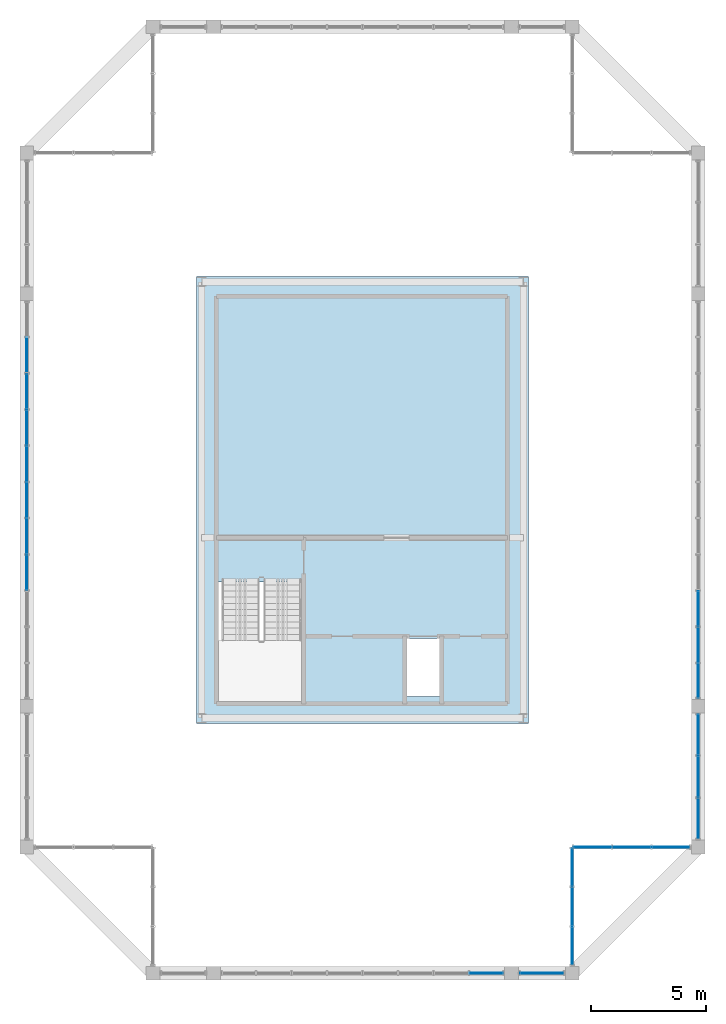
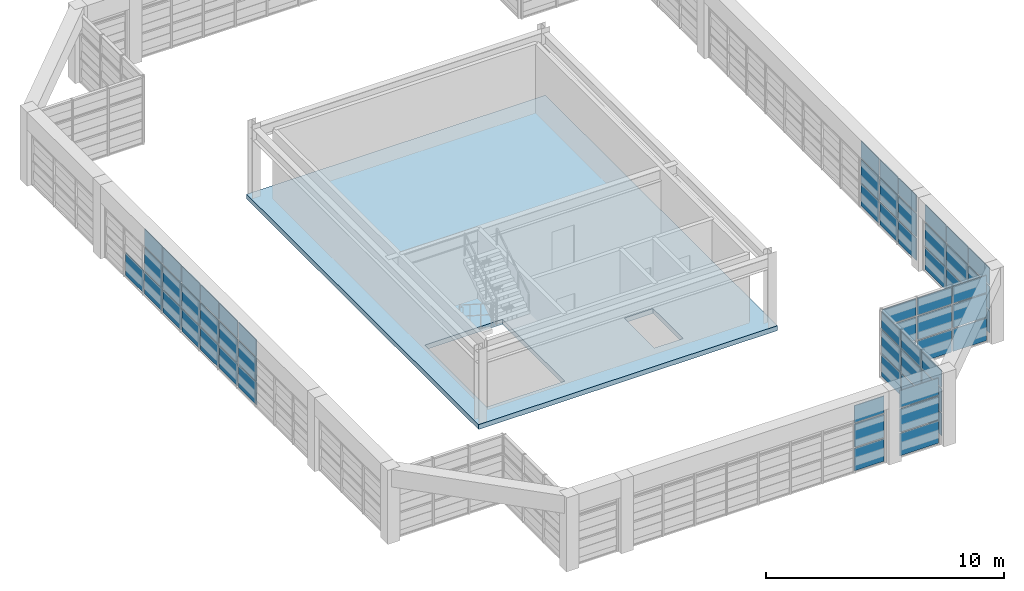
# One storey, part 21 of 27: 61 plates, 1 slab, 7 elements without a shape of their own.
"""IFC4 building model written with IfcOpenShell, lengths in metres."""

from ifc_helpers import new_model, si_unit, direction, frame, origin, origin_2d, place, context, subcontext, project, spatial, polyline, rectangle, outline, extrude, source, transform, mapped, material, layer, layer_set, type_object, element, aggregate, save


model = new_model("IFC4")

# Units and contexts
model_context = context("Model", 3, precision=1e-05, world=origin(), true_north=direction((0.0, 1.0)))
body_context = subcontext(model_context, "Body", "Model", "MODEL_VIEW")
ifc_project = project(units=[si_unit("LENGTHUNIT", "METRE"), si_unit("AREAUNIT", "SQUARE_METRE"), si_unit("VOLUMEUNIT", "CUBIC_METRE"), si_unit("PLANEANGLEUNIT", "RADIAN"), si_unit("MASSUNIT", "GRAM", prefix="KILO")], contexts=[model_context])

# Site, building, storey
site_placement = place(None, origin())
site = spatial("IfcSite", under=ifc_project, at=site_placement, CompositionType="ELEMENT")
building_placement = place(site_placement, origin())
building = spatial("IfcBuilding", under=site, at=building_placement, Name="Saelheon Loggia Tower", CompositionType="ELEMENT")
storey_placement = place(building_placement, frame((0.0, 0.0, 263.60009765625)))
storey = spatial("IfcBuildingStorey", under=building, at=storey_placement, Name="CR4", CompositionType="ELEMENT", Elevation=263.60009765625)

# Slab
ifc_material_1 = material(Name="Concrete C45/55", Category="concrete")
ifc_layer_1 = layer(ifc_material_1, 0.25)
ifc_layer_set_1 = layer_set([ifc_layer_1], Name="Concrete C45/55")
slab_type = type_object("IfcSlabType", Name="Slab_CrownDeck_250", PredefinedType="FLOOR", material=ifc_layer_set_1)
slab_placement = place(storey_placement, frame((0.0, 0.0, -0.25)))
element("IfcSlab", 1, at=slab_placement, inside=storey, type_object=slab_type, Name="CR4 Crown Mechanical Plant Platform", PredefinedType="FLOOR", context=body_context, shape_type="SweptSolid", body=[
    extrude(outline(polyline([(30.75, 17.25), (45.25, 17.25), (45.25, 36.75), (30.75, 36.75), (30.75, 17.25)]), holes=[polyline([(31.699951171875, 23.429931640625), (31.699951171875, 18.199951171875), (35.47998046875, 18.199951171875), (35.47998046875, 23.429931640625), (31.699951171875, 23.429931640625)]), polyline([(39.949951171875, 18.419921875), (41.35009765625, 18.419921875), (41.35009765625, 20.949951171875), (39.949951171875, 20.949951171875), (39.949951171875, 18.419921875)])]), origin(), (0.0, 0.0, 1.0), 0.25),
])

# Curtain wall, plates
ifc_material_2 = material(Name="Bronze-Anodised Aluminium and Fritted Ceramic Screen", Category="aluminium")
ifc_layer_2 = layer(ifc_material_2, 0.219970703125)
ifc_layer_set_2 = layer_set([ifc_layer_2], Name="Bronze-Anodised Aluminium and Fritted Ceramic Screen")
curtain_wall_type = type_object("IfcCurtainWallType", Name="CW_CrownScreen", PredefinedType="NOTDEFINED", material=ifc_layer_set_2)
curtain_wall_1_placement = place(storey_placement, origin())
curtain_wall_1 = element("IfcCurtainWall", 2, at=curtain_wall_1_placement, inside=storey, type_object=curtain_wall_type, Name="CR4 Crown Screen Curtain Wall 0-3", PredefinedType="NOTDEFINED")
ifc_material_3 = material(Name="Bronze Ceramic Fritted Spandrel Panel", Category="aluminium")
ifc_layer_3 = layer(ifc_material_3, 0.0380859375)
ifc_layer_set_3 = layer_set([ifc_layer_3], Name="Bronze Ceramic Fritted Spandrel Panel")
plate_type = type_object("IfcPlateType", Name="CW_CrownScreen_Panel", PredefinedType="CURTAIN_PANEL", material=ifc_layer_set_3)
shared_shape_1 = source(origin(), body_context, "Body", "SweptSolid", [
    extrude(rectangle(XDim=1.889892578125, YDim=0.0380859375, at=origin_2d()), origin(), (0.0, 0.0, 1.0), 1.14501953125),
])
plate_1_placement = place(storey_placement, frame((45.824951171875, 6.35009765625, 0.06982421875), z_axis=(0.0, 0.0, 1.0), x_axis=(1.0, 0.0, 0.0)))
plate_1 = element("IfcPlate", 3, at=plate_1_placement, type_object=plate_type, Name="CW6 panel 1.1", PredefinedType="CURTAIN_PANEL", context=body_context, shape_type="MappedRepresentation", body=[
    mapped(shared_shape_1, transform((0.0, 0.0, 0.0), scale=1.0)),
])
shared_shape_2 = source(origin(), body_context, "Body", "SweptSolid", [
    extrude(rectangle(XDim=1.889892578125, YDim=0.0380859375, at=origin_2d()), origin(), (0.0, 0.0, 1.0), 1.179931640625),
])
plate_2_placement = place(storey_placement, frame((45.824951171875, 6.35009765625, 1.28515625), z_axis=(0.0, 0.0, 1.0), x_axis=(1.0, 0.0, 0.0)))
plate_2 = element("IfcPlate", 4, at=plate_2_placement, type_object=plate_type, Name="CW6 panel 1.2", PredefinedType="CURTAIN_PANEL", context=body_context, shape_type="MappedRepresentation", body=[
    mapped(shared_shape_2, transform((0.0, 0.0, 0.0), scale=1.0)),
])
shared_shape_3 = source(origin(), body_context, "Body", "SweptSolid", [
    extrude(rectangle(XDim=1.889892578125, YDim=0.0380859375, at=origin_2d()), origin(), (0.0, 0.0, 1.0), 0.875),
])
plate_3_placement = place(storey_placement, frame((45.824951171875, 6.35009765625, 2.534912109375), z_axis=(0.0, 0.0, 1.0), x_axis=(1.0, 0.0, 0.0)))
plate_3 = element("IfcPlate", 5, at=plate_3_placement, type_object=plate_type, Name="CW6 panel 1.3", PredefinedType="CURTAIN_PANEL", context=body_context, shape_type="MappedRepresentation", body=[
    mapped(shared_shape_3, transform((0.0, 0.0, 0.0), scale=1.0)),
])
aggregate(curtain_wall_1, [plate_1, plate_2, plate_3])

curtain_wall_2_placement = place(storey_placement, origin())
curtain_wall_2 = element("IfcCurtainWall", 6, at=curtain_wall_2_placement, inside=storey, type_object=curtain_wall_type, Name="CR4 Crown Screen Curtain Wall 0-2", PredefinedType="NOTDEFINED")
shared_shape_4 = source(origin(), body_context, "Body", "SweptSolid", [
    extrude(rectangle(XDim=1.4423828125, YDim=0.0380859375, at=origin_2d()), origin(), (0.0, 0.0, 1.0), 1.14501953125),
])
plate_4_placement = place(storey_placement, frame((43.398681640625, 6.35009765625, 0.06982421875), z_axis=(0.0, 0.0, 1.0), x_axis=(1.0, 0.0, 0.0)))
plate_4 = element("IfcPlate", 7, at=plate_4_placement, type_object=plate_type, Name="CW6 panel 8.1", PredefinedType="CURTAIN_PANEL", context=body_context, shape_type="MappedRepresentation", body=[
    mapped(shared_shape_4, transform((0.0, 0.0, 0.0), scale=1.0)),
])
shared_shape_5 = source(origin(), body_context, "Body", "SweptSolid", [
    extrude(rectangle(XDim=1.4423828125, YDim=0.0380859375, at=origin_2d()), origin(), (0.0, 0.0, 1.0), 1.179931640625),
])
plate_5_placement = place(storey_placement, frame((43.398681640625, 6.35009765625, 1.28515625), z_axis=(0.0, 0.0, 1.0), x_axis=(1.0, 0.0, 0.0)))
plate_5 = element("IfcPlate", 8, at=plate_5_placement, type_object=plate_type, Name="CW6 panel 8.2", PredefinedType="CURTAIN_PANEL", context=body_context, shape_type="MappedRepresentation", body=[
    mapped(shared_shape_5, transform((0.0, 0.0, 0.0), scale=1.0)),
])
shared_shape_6 = source(origin(), body_context, "Body", "SweptSolid", [
    extrude(rectangle(XDim=1.4423828125, YDim=0.0380859375, at=origin_2d()), origin(), (0.0, 0.0, 1.0), 0.875),
])
plate_6_placement = place(storey_placement, frame((43.398681640625, 6.35009765625, 2.534912109375), z_axis=(0.0, 0.0, 1.0), x_axis=(1.0, 0.0, 0.0)))
plate_6 = element("IfcPlate", 9, at=plate_6_placement, type_object=plate_type, Name="CW6 panel 8.3", PredefinedType="CURTAIN_PANEL", context=body_context, shape_type="MappedRepresentation", body=[
    mapped(shared_shape_6, transform((0.0, 0.0, 0.0), scale=1.0)),
])
aggregate(curtain_wall_2, [plate_4, plate_5, plate_6])

curtain_wall_3_placement = place(storey_placement, origin())
curtain_wall_3 = element("IfcCurtainWall", 10, at=curtain_wall_3_placement, inside=storey, type_object=curtain_wall_type, Name="CR4 Crown Screen Curtain Wall 1-1", PredefinedType="NOTDEFINED")
shared_shape_7 = source(origin(), body_context, "Body", "SweptSolid", [
    extrude(rectangle(XDim=1.625, YDim=0.0380859375, at=origin_2d()), origin(), (0.0, 0.0, 1.0), 1.14501953125),
])
plate_7_placement = place(storey_placement, frame((47.14990234375, 7.54248046875, 0.06982421875), z_axis=(0.0, 0.0, 1.0), x_axis=(0.0, 1.0, 0.0)))
plate_7 = element("IfcPlate", 11, at=plate_7_placement, type_object=plate_type, Name="CW6 panel 1.1", PredefinedType="CURTAIN_PANEL", context=body_context, shape_type="MappedRepresentation", body=[
    mapped(shared_shape_7, transform((0.0, 0.0, 0.0), scale=1.0)),
])
plate_8_placement = place(storey_placement, frame((47.14990234375, 10.967529296875, 0.06982421875), z_axis=(0.0, 0.0, 1.0), x_axis=(0.0, 1.0, 0.0)))
plate_8 = element("IfcPlate", 12, at=plate_8_placement, type_object=plate_type, Name="CW6 panel 3.1", PredefinedType="CURTAIN_PANEL", context=body_context, shape_type="MappedRepresentation", body=[
    mapped(shared_shape_7, transform((0.0, 0.0, 0.0), scale=1.0)),
])

curtain_wall_4_placement = place(storey_placement, origin())
curtain_wall_4 = element("IfcCurtainWall", 13, at=curtain_wall_4_placement, inside=storey, type_object=curtain_wall_type, Name="CR4 Crown Screen Curtain Wall 2-1", PredefinedType="NOTDEFINED")
plate_9_placement = place(storey_placement, frame((48.032470703125, 11.85009765625, 0.06982421875), z_axis=(0.0, 0.0, 1.0), x_axis=(1.0, 0.0, 0.0)))
plate_9 = element("IfcPlate", 14, at=plate_9_placement, type_object=plate_type, Name="CW6 panel 1.1", PredefinedType="CURTAIN_PANEL", context=body_context, shape_type="MappedRepresentation", body=[
    mapped(shared_shape_7, transform((0.0, 0.0, 0.0), scale=1.0)),
])
plate_10_placement = place(storey_placement, frame((51.45751953125, 11.85009765625, 0.06982421875), z_axis=(0.0, 0.0, 1.0), x_axis=(1.0, 0.0, 0.0)))
plate_10 = element("IfcPlate", 15, at=plate_10_placement, type_object=plate_type, Name="CW6 panel 3.1", PredefinedType="CURTAIN_PANEL", context=body_context, shape_type="MappedRepresentation", body=[
    mapped(shared_shape_7, transform((0.0, 0.0, 0.0), scale=1.0)),
])

# Plate
shared_shape_8 = source(origin(), body_context, "Body", "SweptSolid", [
    extrude(rectangle(XDim=1.625, YDim=0.0380859375, at=origin_2d()), origin(), (0.0, 0.0, 1.0), 1.179931640625),
])
plate_11_placement = place(storey_placement, frame((47.14990234375, 7.54248046875, 1.28515625), z_axis=(0.0, 0.0, 1.0), x_axis=(0.0, 1.0, 0.0)))
plate_11 = element("IfcPlate", 16, at=plate_11_placement, type_object=plate_type, Name="CW6 panel 1.2", PredefinedType="CURTAIN_PANEL", context=body_context, shape_type="MappedRepresentation", body=[
    mapped(shared_shape_8, transform((0.0, 0.0, 0.0), scale=1.0)),
])

plate_12_placement = place(storey_placement, frame((47.14990234375, 10.967529296875, 1.28515625), z_axis=(0.0, 0.0, 1.0), x_axis=(0.0, 1.0, 0.0)))
plate_12 = element("IfcPlate", 17, at=plate_12_placement, type_object=plate_type, Name="CW6 panel 3.2", PredefinedType="CURTAIN_PANEL", context=body_context, shape_type="MappedRepresentation", body=[
    mapped(shared_shape_8, transform((0.0, 0.0, 0.0), scale=1.0)),
])

plate_13_placement = place(storey_placement, frame((48.032470703125, 11.85009765625, 1.28515625), z_axis=(0.0, 0.0, 1.0), x_axis=(1.0, 0.0, 0.0)))
plate_13 = element("IfcPlate", 18, at=plate_13_placement, type_object=plate_type, Name="CW6 panel 1.2", PredefinedType="CURTAIN_PANEL", context=body_context, shape_type="MappedRepresentation", body=[
    mapped(shared_shape_8, transform((0.0, 0.0, 0.0), scale=1.0)),
])

plate_14_placement = place(storey_placement, frame((51.45751953125, 11.85009765625, 1.28515625), z_axis=(0.0, 0.0, 1.0), x_axis=(1.0, 0.0, 0.0)))
plate_14 = element("IfcPlate", 19, at=plate_14_placement, type_object=plate_type, Name="CW6 panel 3.2", PredefinedType="CURTAIN_PANEL", context=body_context, shape_type="MappedRepresentation", body=[
    mapped(shared_shape_8, transform((0.0, 0.0, 0.0), scale=1.0)),
])

shared_shape_9 = source(origin(), body_context, "Body", "SweptSolid", [
    extrude(rectangle(XDim=1.625, YDim=0.0380859375, at=origin_2d()), origin(), (0.0, 0.0, 1.0), 0.875),
])
plate_15_placement = place(storey_placement, frame((47.14990234375, 7.54248046875, 2.534912109375), z_axis=(0.0, 0.0, 1.0), x_axis=(0.0, 1.0, 0.0)))
plate_15 = element("IfcPlate", 20, at=plate_15_placement, type_object=plate_type, Name="CW6 panel 1.3", PredefinedType="CURTAIN_PANEL", context=body_context, shape_type="MappedRepresentation", body=[
    mapped(shared_shape_9, transform((0.0, 0.0, 0.0), scale=1.0)),
])

plate_16_placement = place(storey_placement, frame((47.14990234375, 10.967529296875, 2.534912109375), z_axis=(0.0, 0.0, 1.0), x_axis=(0.0, 1.0, 0.0)))
plate_16 = element("IfcPlate", 21, at=plate_16_placement, type_object=plate_type, Name="CW6 panel 3.3", PredefinedType="CURTAIN_PANEL", context=body_context, shape_type="MappedRepresentation", body=[
    mapped(shared_shape_9, transform((0.0, 0.0, 0.0), scale=1.0)),
])

plate_17_placement = place(storey_placement, frame((48.032470703125, 11.85009765625, 2.534912109375), z_axis=(0.0, 0.0, 1.0), x_axis=(1.0, 0.0, 0.0)))
plate_17 = element("IfcPlate", 22, at=plate_17_placement, type_object=plate_type, Name="CW6 panel 1.3", PredefinedType="CURTAIN_PANEL", context=body_context, shape_type="MappedRepresentation", body=[
    mapped(shared_shape_9, transform((0.0, 0.0, 0.0), scale=1.0)),
])

plate_18_placement = place(storey_placement, frame((51.45751953125, 11.85009765625, 2.534912109375), z_axis=(0.0, 0.0, 1.0), x_axis=(1.0, 0.0, 0.0)))
plate_18 = element("IfcPlate", 23, at=plate_18_placement, type_object=plate_type, Name="CW6 panel 3.3", PredefinedType="CURTAIN_PANEL", context=body_context, shape_type="MappedRepresentation", body=[
    mapped(shared_shape_9, transform((0.0, 0.0, 0.0), scale=1.0)),
])

shared_shape_10 = source(origin(), body_context, "Body", "SweptSolid", [
    extrude(rectangle(XDim=1.659912109375, YDim=0.0380859375, at=origin_2d()), origin(), (0.0, 0.0, 1.0), 1.14501953125),
])
plate_19_placement = place(storey_placement, frame((47.14990234375, 9.2548828125, 0.06982421875), z_axis=(0.0, 0.0, 1.0), x_axis=(0.0, 1.0, 0.0)))
plate_19 = element("IfcPlate", 24, at=plate_19_placement, type_object=plate_type, Name="CW6 panel 2.1", PredefinedType="CURTAIN_PANEL", context=body_context, shape_type="MappedRepresentation", body=[
    mapped(shared_shape_10, transform((0.0, 0.0, 0.0), scale=1.0)),
])

plate_20_placement = place(storey_placement, frame((49.7451171875, 11.85009765625, 0.06982421875), z_axis=(0.0, 0.0, 1.0), x_axis=(1.0, 0.0, 0.0)))
plate_20 = element("IfcPlate", 25, at=plate_20_placement, type_object=plate_type, Name="CW6 panel 2.1", PredefinedType="CURTAIN_PANEL", context=body_context, shape_type="MappedRepresentation", body=[
    mapped(shared_shape_10, transform((0.0, 0.0, 0.0), scale=1.0)),
])

shared_shape_11 = source(origin(), body_context, "Body", "SweptSolid", [
    extrude(rectangle(XDim=1.659912109375, YDim=0.0380859375, at=origin_2d()), origin(), (0.0, 0.0, 1.0), 1.179931640625),
])
plate_21_placement = place(storey_placement, frame((47.14990234375, 9.2548828125, 1.28515625), z_axis=(0.0, 0.0, 1.0), x_axis=(0.0, 1.0, 0.0)))
plate_21 = element("IfcPlate", 26, at=plate_21_placement, type_object=plate_type, Name="CW6 panel 2.2", PredefinedType="CURTAIN_PANEL", context=body_context, shape_type="MappedRepresentation", body=[
    mapped(shared_shape_11, transform((0.0, 0.0, 0.0), scale=1.0)),
])

plate_22_placement = place(storey_placement, frame((49.7451171875, 11.85009765625, 1.28515625), z_axis=(0.0, 0.0, 1.0), x_axis=(1.0, 0.0, 0.0)))
plate_22 = element("IfcPlate", 27, at=plate_22_placement, type_object=plate_type, Name="CW6 panel 2.2", PredefinedType="CURTAIN_PANEL", context=body_context, shape_type="MappedRepresentation", body=[
    mapped(shared_shape_11, transform((0.0, 0.0, 0.0), scale=1.0)),
])

shared_shape_12 = source(origin(), body_context, "Body", "SweptSolid", [
    extrude(rectangle(XDim=1.659912109375, YDim=0.0380859375, at=origin_2d()), origin(), (0.0, 0.0, 1.0), 0.875),
])
plate_23_placement = place(storey_placement, frame((47.14990234375, 9.2548828125, 2.534912109375), z_axis=(0.0, 0.0, 1.0), x_axis=(0.0, 1.0, 0.0)))
plate_23 = element("IfcPlate", 28, at=plate_23_placement, type_object=plate_type, Name="CW6 panel 2.3", PredefinedType="CURTAIN_PANEL", context=body_context, shape_type="MappedRepresentation", body=[
    mapped(shared_shape_12, transform((0.0, 0.0, 0.0), scale=1.0)),
])

aggregate(curtain_wall_3, [plate_7, plate_11, plate_15, plate_19, plate_21, plate_23, plate_8, plate_12, plate_16])

plate_24_placement = place(storey_placement, frame((49.7451171875, 11.85009765625, 2.534912109375), z_axis=(0.0, 0.0, 1.0), x_axis=(1.0, 0.0, 0.0)))
plate_24 = element("IfcPlate", 29, at=plate_24_placement, type_object=plate_type, Name="CW6 panel 2.3", PredefinedType="CURTAIN_PANEL", context=body_context, shape_type="MappedRepresentation", body=[
    mapped(shared_shape_12, transform((0.0, 0.0, 0.0), scale=1.0)),
])

aggregate(curtain_wall_4, [plate_9, plate_13, plate_17, plate_20, plate_22, plate_24, plate_10, plate_14, plate_18])

# Curtain wall, plates
curtain_wall_5_placement = place(storey_placement, origin())
curtain_wall_5 = element("IfcCurtainWall", 30, at=curtain_wall_5_placement, inside=storey, type_object=curtain_wall_type, Name="CR4 Crown Screen Curtain Wall 3-1", PredefinedType="NOTDEFINED")
shared_shape_13 = source(origin(), body_context, "Body", "SweptSolid", [
    extrude(rectangle(XDim=1.73828125, YDim=0.0380859375, at=origin_2d()), origin(), (0.0, 0.0, 1.0), 1.14501953125),
])
plate_25_placement = place(storey_placement, frame((52.64990234375, 13.09912109375, 0.06982421875), z_axis=(0.0, 0.0, 1.0), x_axis=(0.0, 1.0, 0.0)))
plate_25 = element("IfcPlate", 31, at=plate_25_placement, type_object=plate_type, Name="CW6 panel 1.1", PredefinedType="CURTAIN_PANEL", context=body_context, shape_type="MappedRepresentation", body=[
    mapped(shared_shape_13, transform((0.0, 0.0, 0.0), scale=1.0)),
])
plate_26_placement = place(storey_placement, frame((52.64990234375, 16.750732421875, 0.06982421875), z_axis=(0.0, 0.0, 1.0), x_axis=(0.0, 1.0, 0.0)))
plate_26 = element("IfcPlate", 32, at=plate_26_placement, type_object=plate_type, Name="CW6 panel 3.1", PredefinedType="CURTAIN_PANEL", context=body_context, shape_type="MappedRepresentation", body=[
    mapped(shared_shape_13, transform((0.0, 0.0, 0.0), scale=1.0)),
])
shared_shape_14 = source(origin(), body_context, "Body", "SweptSolid", [
    extrude(rectangle(XDim=1.73828125, YDim=0.0380859375, at=origin_2d()), origin(), (0.0, 0.0, 1.0), 1.179931640625),
])
plate_27_placement = place(storey_placement, frame((52.64990234375, 13.09912109375, 1.28515625), z_axis=(0.0, 0.0, 1.0), x_axis=(0.0, 1.0, 0.0)))
plate_27 = element("IfcPlate", 33, at=plate_27_placement, type_object=plate_type, Name="CW6 panel 1.2", PredefinedType="CURTAIN_PANEL", context=body_context, shape_type="MappedRepresentation", body=[
    mapped(shared_shape_14, transform((0.0, 0.0, 0.0), scale=1.0)),
])
plate_28_placement = place(storey_placement, frame((52.64990234375, 16.750732421875, 1.28515625), z_axis=(0.0, 0.0, 1.0), x_axis=(0.0, 1.0, 0.0)))
plate_28 = element("IfcPlate", 34, at=plate_28_placement, type_object=plate_type, Name="CW6 panel 3.2", PredefinedType="CURTAIN_PANEL", context=body_context, shape_type="MappedRepresentation", body=[
    mapped(shared_shape_14, transform((0.0, 0.0, 0.0), scale=1.0)),
])
shared_shape_15 = source(origin(), body_context, "Body", "SweptSolid", [
    extrude(rectangle(XDim=1.73828125, YDim=0.0380859375, at=origin_2d()), origin(), (0.0, 0.0, 1.0), 0.875),
])
plate_29_placement = place(storey_placement, frame((52.64990234375, 13.09912109375, 2.534912109375), z_axis=(0.0, 0.0, 1.0), x_axis=(0.0, 1.0, 0.0)))
plate_29 = element("IfcPlate", 35, at=plate_29_placement, type_object=plate_type, Name="CW6 panel 1.3", PredefinedType="CURTAIN_PANEL", context=body_context, shape_type="MappedRepresentation", body=[
    mapped(shared_shape_15, transform((0.0, 0.0, 0.0), scale=1.0)),
])
plate_30_placement = place(storey_placement, frame((52.64990234375, 16.750732421875, 2.534912109375), z_axis=(0.0, 0.0, 1.0), x_axis=(0.0, 1.0, 0.0)))
plate_30 = element("IfcPlate", 36, at=plate_30_placement, type_object=plate_type, Name="CW6 panel 3.3", PredefinedType="CURTAIN_PANEL", context=body_context, shape_type="MappedRepresentation", body=[
    mapped(shared_shape_15, transform((0.0, 0.0, 0.0), scale=1.0)),
])
shared_shape_16 = source(origin(), body_context, "Body", "SweptSolid", [
    extrude(rectangle(XDim=1.7734375, YDim=0.0380859375, at=origin_2d()), origin(), (0.0, 0.0, 1.0), 1.14501953125),
])
plate_31_placement = place(storey_placement, frame((52.64990234375, 14.925048828125, 0.06982421875), z_axis=(0.0, 0.0, 1.0), x_axis=(0.0, 1.0, 0.0)))
plate_31 = element("IfcPlate", 37, at=plate_31_placement, type_object=plate_type, Name="CW6 panel 2.1", PredefinedType="CURTAIN_PANEL", context=body_context, shape_type="MappedRepresentation", body=[
    mapped(shared_shape_16, transform((0.0, 0.0, 0.0), scale=1.0)),
])
shared_shape_17 = source(origin(), body_context, "Body", "SweptSolid", [
    extrude(rectangle(XDim=1.7734375, YDim=0.0380859375, at=origin_2d()), origin(), (0.0, 0.0, 1.0), 1.179931640625),
])
plate_32_placement = place(storey_placement, frame((52.64990234375, 14.925048828125, 1.28515625), z_axis=(0.0, 0.0, 1.0), x_axis=(0.0, 1.0, 0.0)))
plate_32 = element("IfcPlate", 38, at=plate_32_placement, type_object=plate_type, Name="CW6 panel 2.2", PredefinedType="CURTAIN_PANEL", context=body_context, shape_type="MappedRepresentation", body=[
    mapped(shared_shape_17, transform((0.0, 0.0, 0.0), scale=1.0)),
])
shared_shape_18 = source(origin(), body_context, "Body", "SweptSolid", [
    extrude(rectangle(XDim=1.7734375, YDim=0.0380859375, at=origin_2d()), origin(), (0.0, 0.0, 1.0), 0.875),
])
plate_33_placement = place(storey_placement, frame((52.64990234375, 14.925048828125, 2.534912109375), z_axis=(0.0, 0.0, 1.0), x_axis=(0.0, 1.0, 0.0)))
plate_33 = element("IfcPlate", 39, at=plate_33_placement, type_object=plate_type, Name="CW6 panel 2.3", PredefinedType="CURTAIN_PANEL", context=body_context, shape_type="MappedRepresentation", body=[
    mapped(shared_shape_18, transform((0.0, 0.0, 0.0), scale=1.0)),
])
aggregate(curtain_wall_5, [plate_25, plate_27, plate_29, plate_31, plate_32, plate_33, plate_26, plate_28, plate_30])

curtain_wall_6_placement = place(storey_placement, origin())
curtain_wall_6 = element("IfcCurtainWall", 40, at=curtain_wall_6_placement, inside=storey, type_object=curtain_wall_type, Name="CR4 Crown Screen Curtain Wall 3-2", PredefinedType="NOTDEFINED")
shared_shape_19 = source(origin(), body_context, "Body", "SweptSolid", [
    extrude(rectangle(XDim=1.47509765625, YDim=0.0380859375, at=origin_2d()), origin(), (0.0, 0.0, 1.0), 1.14501953125),
])
plate_34_placement = place(storey_placement, frame((52.64990234375, 19.117431640625, 0.06982421875), z_axis=(0.0, 0.0, 1.0), x_axis=(0.0, 1.0, 0.0)))
plate_34 = element("IfcPlate", 41, at=plate_34_placement, type_object=plate_type, Name="CW6 panel 1.1", PredefinedType="CURTAIN_PANEL", context=body_context, shape_type="MappedRepresentation", body=[
    mapped(shared_shape_19, transform((0.0, 0.0, 0.0), scale=1.0)),
])
shared_shape_20 = source(origin(), body_context, "Body", "SweptSolid", [
    extrude(rectangle(XDim=1.47509765625, YDim=0.0380859375, at=origin_2d()), origin(), (0.0, 0.0, 1.0), 1.179931640625),
])
plate_35_placement = place(storey_placement, frame((52.64990234375, 19.117431640625, 1.28515625), z_axis=(0.0, 0.0, 1.0), x_axis=(0.0, 1.0, 0.0)))
plate_35 = element("IfcPlate", 42, at=plate_35_placement, type_object=plate_type, Name="CW6 panel 1.2", PredefinedType="CURTAIN_PANEL", context=body_context, shape_type="MappedRepresentation", body=[
    mapped(shared_shape_20, transform((0.0, 0.0, 0.0), scale=1.0)),
])
shared_shape_21 = source(origin(), body_context, "Body", "SweptSolid", [
    extrude(rectangle(XDim=1.47509765625, YDim=0.0380859375, at=origin_2d()), origin(), (0.0, 0.0, 1.0), 0.875),
])
plate_36_placement = place(storey_placement, frame((52.64990234375, 19.117431640625, 2.534912109375), z_axis=(0.0, 0.0, 1.0), x_axis=(0.0, 1.0, 0.0)))
plate_36 = element("IfcPlate", 43, at=plate_36_placement, type_object=plate_type, Name="CW6 panel 1.3", PredefinedType="CURTAIN_PANEL", context=body_context, shape_type="MappedRepresentation", body=[
    mapped(shared_shape_21, transform((0.0, 0.0, 0.0), scale=1.0)),
])
shared_shape_22 = source(origin(), body_context, "Body", "SweptSolid", [
    extrude(rectangle(XDim=1.510009765625, YDim=0.0380859375, at=origin_2d()), origin(), (0.0, 0.0, 1.0), 1.14501953125),
])
plate_37_placement = place(storey_placement, frame((52.64990234375, 20.679931640625, 0.06982421875), z_axis=(0.0, 0.0, 1.0), x_axis=(0.0, 1.0, 0.0)))
plate_37 = element("IfcPlate", 44, at=plate_37_placement, type_object=plate_type, Name="CW6 panel 2.1", PredefinedType="CURTAIN_PANEL", context=body_context, shape_type="MappedRepresentation", body=[
    mapped(shared_shape_22, transform((0.0, 0.0, 0.0), scale=1.0)),
])
plate_38_placement = place(storey_placement, frame((52.64990234375, 22.260009765625, 0.06982421875), z_axis=(0.0, 0.0, 1.0), x_axis=(0.0, 1.0, 0.0)))
plate_38 = element("IfcPlate", 45, at=plate_38_placement, type_object=plate_type, Name="CW6 panel 3.1", PredefinedType="CURTAIN_PANEL", context=body_context, shape_type="MappedRepresentation", body=[
    mapped(shared_shape_22, transform((0.0, 0.0, 0.0), scale=1.0)),
])

curtain_wall_7_placement = place(storey_placement, origin())
curtain_wall_7 = element("IfcCurtainWall", 46, at=curtain_wall_7_placement, inside=storey, type_object=curtain_wall_type, Name="CR4 Crown Screen Curtain Wall 9-2", PredefinedType="NOTDEFINED")
plate_39_placement = place(storey_placement, frame((23.35009765625, 33.320068359375, 0.06982421875), z_axis=(0.0, 0.0, 1.0), x_axis=(0.0, -1.0, 0.0)))
plate_39 = element("IfcPlate", 47, at=plate_39_placement, type_object=plate_type, Name="CW6 panel 2.1", PredefinedType="CURTAIN_PANEL", context=body_context, shape_type="MappedRepresentation", body=[
    mapped(shared_shape_22, transform((0.0, 0.0, 0.0), scale=1.0)),
])
plate_40_placement = place(storey_placement, frame((23.35009765625, 31.739990234375, 0.06982421875), z_axis=(0.0, 0.0, 1.0), x_axis=(0.0, -1.0, 0.0)))
plate_40 = element("IfcPlate", 48, at=plate_40_placement, type_object=plate_type, Name="CW6 panel 3.1", PredefinedType="CURTAIN_PANEL", context=body_context, shape_type="MappedRepresentation", body=[
    mapped(shared_shape_22, transform((0.0, 0.0, 0.0), scale=1.0)),
])
plate_41_placement = place(storey_placement, frame((23.35009765625, 30.159912109375, 0.06982421875), z_axis=(0.0, 0.0, 1.0), x_axis=(0.0, -1.0, 0.0)))
plate_41 = element("IfcPlate", 49, at=plate_41_placement, type_object=plate_type, Name="CW6 panel 4.1", PredefinedType="CURTAIN_PANEL", context=body_context, shape_type="MappedRepresentation", body=[
    mapped(shared_shape_22, transform((0.0, 0.0, 0.0), scale=1.0)),
])
plate_42_placement = place(storey_placement, frame((23.35009765625, 28.580078125, 0.06982421875), z_axis=(0.0, 0.0, 1.0), x_axis=(0.0, -1.0, 0.0)))
plate_42 = element("IfcPlate", 50, at=plate_42_placement, type_object=plate_type, Name="CW6 panel 5.1", PredefinedType="CURTAIN_PANEL", context=body_context, shape_type="MappedRepresentation", body=[
    mapped(shared_shape_22, transform((0.0, 0.0, 0.0), scale=1.0)),
])
plate_43_placement = place(storey_placement, frame((23.35009765625, 27.0, 0.06982421875), z_axis=(0.0, 0.0, 1.0), x_axis=(0.0, -1.0, 0.0)))
plate_43 = element("IfcPlate", 51, at=plate_43_placement, type_object=plate_type, Name="CW6 panel 6.1", PredefinedType="CURTAIN_PANEL", context=body_context, shape_type="MappedRepresentation", body=[
    mapped(shared_shape_22, transform((0.0, 0.0, 0.0), scale=1.0)),
])
plate_44_placement = place(storey_placement, frame((23.35009765625, 25.419921875, 0.06982421875), z_axis=(0.0, 0.0, 1.0), x_axis=(0.0, -1.0, 0.0)))
plate_44 = element("IfcPlate", 52, at=plate_44_placement, type_object=plate_type, Name="CW6 panel 7.1", PredefinedType="CURTAIN_PANEL", context=body_context, shape_type="MappedRepresentation", body=[
    mapped(shared_shape_22, transform((0.0, 0.0, 0.0), scale=1.0)),
])
plate_45_placement = place(storey_placement, frame((23.35009765625, 23.840087890625, 0.06982421875), z_axis=(0.0, 0.0, 1.0), x_axis=(0.0, -1.0, 0.0)))
plate_45 = element("IfcPlate", 53, at=plate_45_placement, type_object=plate_type, Name="CW6 panel 8.1", PredefinedType="CURTAIN_PANEL", context=body_context, shape_type="MappedRepresentation", body=[
    mapped(shared_shape_22, transform((0.0, 0.0, 0.0), scale=1.0)),
])

# Plate
shared_shape_23 = source(origin(), body_context, "Body", "SweptSolid", [
    extrude(rectangle(XDim=1.510009765625, YDim=0.0380859375, at=origin_2d()), origin(), (0.0, 0.0, 1.0), 1.179931640625),
])
plate_46_placement = place(storey_placement, frame((52.64990234375, 20.679931640625, 1.28515625), z_axis=(0.0, 0.0, 1.0), x_axis=(0.0, 1.0, 0.0)))
plate_46 = element("IfcPlate", 54, at=plate_46_placement, type_object=plate_type, Name="CW6 panel 2.2", PredefinedType="CURTAIN_PANEL", context=body_context, shape_type="MappedRepresentation", body=[
    mapped(shared_shape_23, transform((0.0, 0.0, 0.0), scale=1.0)),
])

plate_47_placement = place(storey_placement, frame((52.64990234375, 22.260009765625, 1.28515625), z_axis=(0.0, 0.0, 1.0), x_axis=(0.0, 1.0, 0.0)))
plate_47 = element("IfcPlate", 55, at=plate_47_placement, type_object=plate_type, Name="CW6 panel 3.2", PredefinedType="CURTAIN_PANEL", context=body_context, shape_type="MappedRepresentation", body=[
    mapped(shared_shape_23, transform((0.0, 0.0, 0.0), scale=1.0)),
])

plate_48_placement = place(storey_placement, frame((23.35009765625, 31.739990234375, 1.28515625), z_axis=(0.0, 0.0, 1.0), x_axis=(0.0, -1.0, 0.0)))
plate_48 = element("IfcPlate", 56, at=plate_48_placement, type_object=plate_type, Name="CW6 panel 3.2", PredefinedType="CURTAIN_PANEL", context=body_context, shape_type="MappedRepresentation", body=[
    mapped(shared_shape_23, transform((0.0, 0.0, 0.0), scale=1.0)),
])

plate_49_placement = place(storey_placement, frame((23.35009765625, 30.159912109375, 1.28515625), z_axis=(0.0, 0.0, 1.0), x_axis=(0.0, -1.0, 0.0)))
plate_49 = element("IfcPlate", 57, at=plate_49_placement, type_object=plate_type, Name="CW6 panel 4.2", PredefinedType="CURTAIN_PANEL", context=body_context, shape_type="MappedRepresentation", body=[
    mapped(shared_shape_23, transform((0.0, 0.0, 0.0), scale=1.0)),
])

plate_50_placement = place(storey_placement, frame((23.35009765625, 28.580078125, 1.28515625), z_axis=(0.0, 0.0, 1.0), x_axis=(0.0, -1.0, 0.0)))
plate_50 = element("IfcPlate", 58, at=plate_50_placement, type_object=plate_type, Name="CW6 panel 5.2", PredefinedType="CURTAIN_PANEL", context=body_context, shape_type="MappedRepresentation", body=[
    mapped(shared_shape_23, transform((0.0, 0.0, 0.0), scale=1.0)),
])

plate_51_placement = place(storey_placement, frame((23.35009765625, 27.0, 1.28515625), z_axis=(0.0, 0.0, 1.0), x_axis=(0.0, -1.0, 0.0)))
plate_51 = element("IfcPlate", 59, at=plate_51_placement, type_object=plate_type, Name="CW6 panel 6.2", PredefinedType="CURTAIN_PANEL", context=body_context, shape_type="MappedRepresentation", body=[
    mapped(shared_shape_23, transform((0.0, 0.0, 0.0), scale=1.0)),
])

plate_52_placement = place(storey_placement, frame((23.35009765625, 25.419921875, 1.28515625), z_axis=(0.0, 0.0, 1.0), x_axis=(0.0, -1.0, 0.0)))
plate_52 = element("IfcPlate", 60, at=plate_52_placement, type_object=plate_type, Name="CW6 panel 7.2", PredefinedType="CURTAIN_PANEL", context=body_context, shape_type="MappedRepresentation", body=[
    mapped(shared_shape_23, transform((0.0, 0.0, 0.0), scale=1.0)),
])

plate_53_placement = place(storey_placement, frame((23.35009765625, 23.840087890625, 1.28515625), z_axis=(0.0, 0.0, 1.0), x_axis=(0.0, -1.0, 0.0)))
plate_53 = element("IfcPlate", 61, at=plate_53_placement, type_object=plate_type, Name="CW6 panel 8.2", PredefinedType="CURTAIN_PANEL", context=body_context, shape_type="MappedRepresentation", body=[
    mapped(shared_shape_23, transform((0.0, 0.0, 0.0), scale=1.0)),
])

shared_shape_24 = source(origin(), body_context, "Body", "SweptSolid", [
    extrude(rectangle(XDim=1.510009765625, YDim=0.0380859375, at=origin_2d()), origin(), (0.0, 0.0, 1.0), 0.875),
])
plate_54_placement = place(storey_placement, frame((52.64990234375, 20.679931640625, 2.534912109375), z_axis=(0.0, 0.0, 1.0), x_axis=(0.0, 1.0, 0.0)))
plate_54 = element("IfcPlate", 62, at=plate_54_placement, type_object=plate_type, Name="CW6 panel 2.3", PredefinedType="CURTAIN_PANEL", context=body_context, shape_type="MappedRepresentation", body=[
    mapped(shared_shape_24, transform((0.0, 0.0, 0.0), scale=1.0)),
])

plate_55_placement = place(storey_placement, frame((52.64990234375, 22.260009765625, 2.534912109375), z_axis=(0.0, 0.0, 1.0), x_axis=(0.0, 1.0, 0.0)))
plate_55 = element("IfcPlate", 63, at=plate_55_placement, type_object=plate_type, Name="CW6 panel 3.3", PredefinedType="CURTAIN_PANEL", context=body_context, shape_type="MappedRepresentation", body=[
    mapped(shared_shape_24, transform((0.0, 0.0, 0.0), scale=1.0)),
])

aggregate(curtain_wall_6, [plate_34, plate_35, plate_36, plate_37, plate_46, plate_54, plate_38, plate_47, plate_55])

plate_56_placement = place(storey_placement, frame((23.35009765625, 31.739990234375, 2.534912109375), z_axis=(0.0, 0.0, 1.0), x_axis=(0.0, -1.0, 0.0)))
plate_56 = element("IfcPlate", 64, at=plate_56_placement, type_object=plate_type, Name="CW6 panel 3.3", PredefinedType="CURTAIN_PANEL", context=body_context, shape_type="MappedRepresentation", body=[
    mapped(shared_shape_24, transform((0.0, 0.0, 0.0), scale=1.0)),
])

plate_57_placement = place(storey_placement, frame((23.35009765625, 30.159912109375, 2.534912109375), z_axis=(0.0, 0.0, 1.0), x_axis=(0.0, -1.0, 0.0)))
plate_57 = element("IfcPlate", 65, at=plate_57_placement, type_object=plate_type, Name="CW6 panel 4.3", PredefinedType="CURTAIN_PANEL", context=body_context, shape_type="MappedRepresentation", body=[
    mapped(shared_shape_24, transform((0.0, 0.0, 0.0), scale=1.0)),
])

plate_58_placement = place(storey_placement, frame((23.35009765625, 28.580078125, 2.534912109375), z_axis=(0.0, 0.0, 1.0), x_axis=(0.0, -1.0, 0.0)))
plate_58 = element("IfcPlate", 66, at=plate_58_placement, type_object=plate_type, Name="CW6 panel 5.3", PredefinedType="CURTAIN_PANEL", context=body_context, shape_type="MappedRepresentation", body=[
    mapped(shared_shape_24, transform((0.0, 0.0, 0.0), scale=1.0)),
])

plate_59_placement = place(storey_placement, frame((23.35009765625, 27.0, 2.534912109375), z_axis=(0.0, 0.0, 1.0), x_axis=(0.0, -1.0, 0.0)))
plate_59 = element("IfcPlate", 67, at=plate_59_placement, type_object=plate_type, Name="CW6 panel 6.3", PredefinedType="CURTAIN_PANEL", context=body_context, shape_type="MappedRepresentation", body=[
    mapped(shared_shape_24, transform((0.0, 0.0, 0.0), scale=1.0)),
])

plate_60_placement = place(storey_placement, frame((23.35009765625, 25.419921875, 2.534912109375), z_axis=(0.0, 0.0, 1.0), x_axis=(0.0, -1.0, 0.0)))
plate_60 = element("IfcPlate", 68, at=plate_60_placement, type_object=plate_type, Name="CW6 panel 7.3", PredefinedType="CURTAIN_PANEL", context=body_context, shape_type="MappedRepresentation", body=[
    mapped(shared_shape_24, transform((0.0, 0.0, 0.0), scale=1.0)),
])

plate_61_placement = place(storey_placement, frame((23.35009765625, 23.840087890625, 2.534912109375), z_axis=(0.0, 0.0, 1.0), x_axis=(0.0, -1.0, 0.0)))
plate_61 = element("IfcPlate", 69, at=plate_61_placement, type_object=plate_type, Name="CW6 panel 8.3", PredefinedType="CURTAIN_PANEL", context=body_context, shape_type="MappedRepresentation", body=[
    mapped(shared_shape_24, transform((0.0, 0.0, 0.0), scale=1.0)),
])

aggregate(curtain_wall_7, [plate_39, plate_40, plate_48, plate_56, plate_41, plate_49, plate_57, plate_42, plate_50, plate_58, plate_43, plate_51, plate_59, plate_44, plate_52, plate_60, plate_45, plate_53, plate_61])

save(model, "model.ifc")
